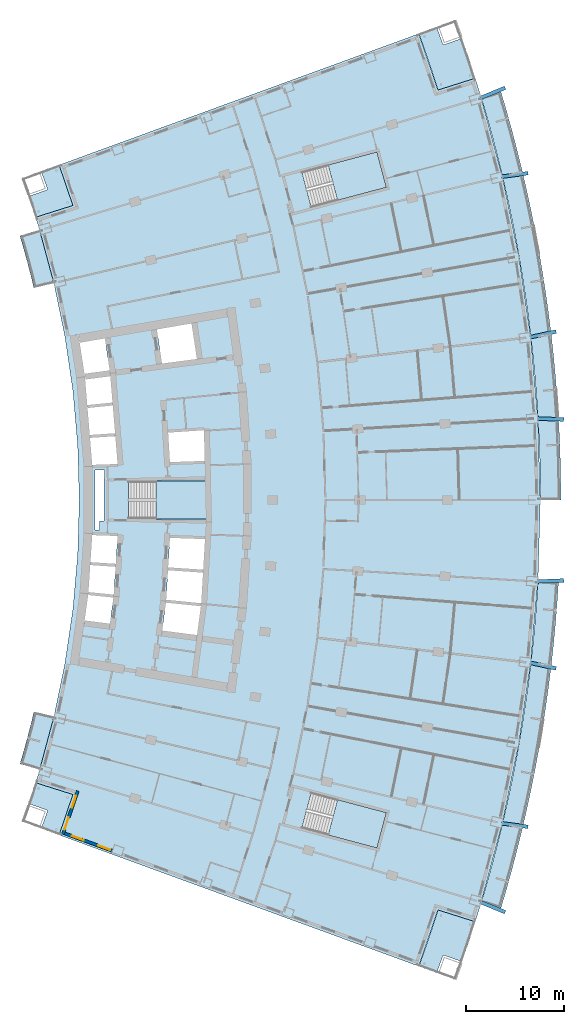
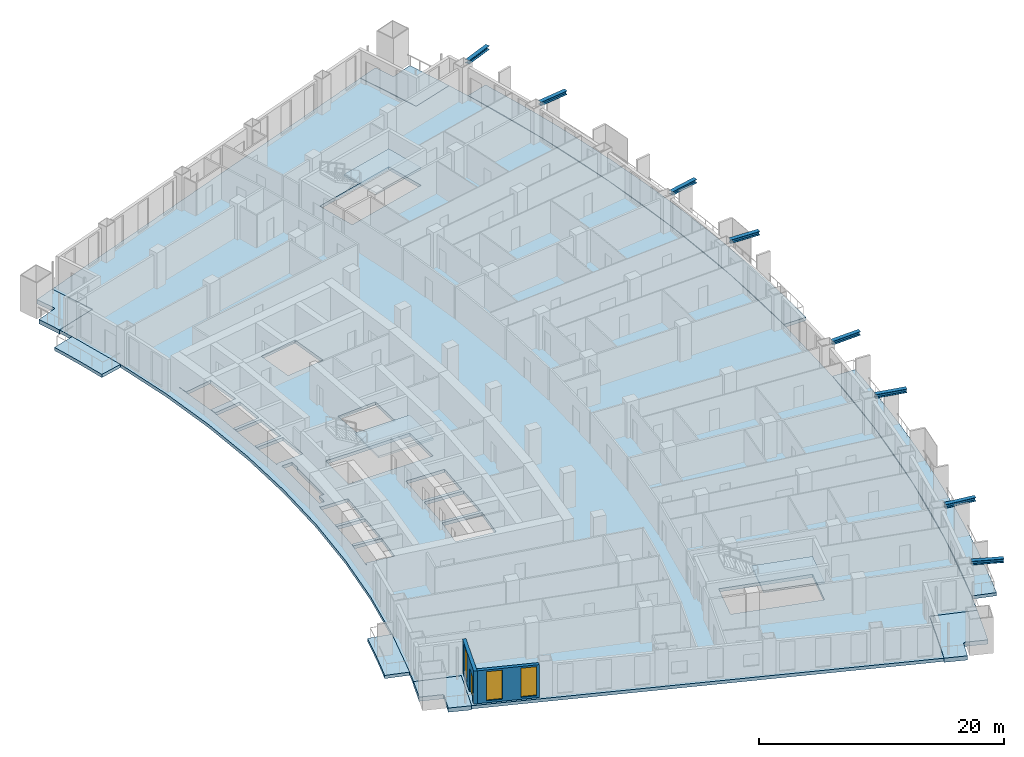
# One storey, part 12 of 25: 12 slabs, 8 members, 3 windows, 2 walls, 1 door, 4 openings, 3 elements without a shape of their own.
"""IFC4 building model written with IfcOpenShell, lengths in metres."""

from ifc_helpers import new_model, si_unit, direction, frame, frame_2d, origin, origin_2d, place, context, subcontext, project, spatial, polyline, rectangle, i_section, outline, extrude, material, layer, layer_set, material_profile, profile_set, type_object, element, fill, aggregate, save


model = new_model("IFC4")

# Units and contexts
model_context = context("Model", 3, precision=1e-05, world=origin(), true_north=direction((0.0, 1.0)))
body_context = subcontext(model_context, "Body", "Model", "MODEL_VIEW")
ifc_project = project(units=[si_unit("LENGTHUNIT", "METRE"), si_unit("AREAUNIT", "SQUARE_METRE"), si_unit("VOLUMEUNIT", "CUBIC_METRE"), si_unit("PLANEANGLEUNIT", "RADIAN"), si_unit("MASSUNIT", "GRAM", prefix="KILO")], contexts=[model_context])

# Site, building, storey
site_placement = place(None, origin())
site = spatial("IfcSite", under=ifc_project, at=site_placement, CompositionType="ELEMENT")
building_placement = place(site_placement, origin())
building = spatial("IfcBuilding", under=site, at=building_placement, Name="Alderwake Tower", CompositionType="ELEMENT")
storey_placement = place(building_placement, frame((0.0, 0.0, 57.199951171875)))
storey = spatial("IfcBuildingStorey", under=building, at=storey_placement, Name="L13", CompositionType="ELEMENT", Elevation=57.199951171875)

# Members
ifc_material_1 = material(Name="Steel ASTM A992 Grade 50", Category="steel")
ifc_material_profile = material_profile(ifc_material_1, i_section(OverallWidth=0.3740234375, OverallDepth=0.372314453125, WebThickness=0.016357421875, FlangeThickness=0.026123046875, at=origin_2d()), Name="W14X132")
ifc_profile_set = profile_set([ifc_material_profile], Name="Steel ASTM A992 Grade 50")
member_type = type_object("IfcMemberType", Name="Brace node stub W14X132", PredefinedType="MEMBER", material=ifc_profile_set)
member_1_placement = place(storey_placement, frame((57.102783203125, 19.833251953125, 3.393798828125), z_axis=(0.924848953154, -0.380334607746, 0.0), x_axis=(0.380334607746, 0.924848953154, 0.0)))
element("IfcMember", 1, at=member_1_placement, inside=storey, type_object=member_type, Name="Brace node stub BS.FR02-C5.608", PredefinedType="MEMBER", context=body_context, shape_type="SweptSolid", body=[
    extrude(i_section(OverallWidth=0.3740234375, OverallDepth=0.372314453125, WebThickness=0.016357421875, FlangeThickness=0.026123046875, at=origin_2d()), origin(), (0.0, 0.0, 1.0), 2.691650390625),
])
member_2_placement = place(storey_placement, frame((59.271728515625, 27.90478515625, 3.393798828125), z_axis=(0.990934749204, -0.134344046464, 0.0), x_axis=(0.134344046464, 0.990934749204, 0.0)))
element("IfcMember", 2, at=member_2_placement, inside=storey, type_object=member_type, Name="Brace node stub BS.FR03-C5.608", PredefinedType="MEMBER", context=body_context, shape_type="SweptSolid", body=[
    extrude(i_section(OverallWidth=0.3740234375, OverallDepth=0.372314453125, WebThickness=0.016357421875, FlangeThickness=0.026123046875, at=origin_2d()), origin(), (0.0, 0.0, 1.0), 2.69140625),
])
member_3_placement = place(storey_placement, frame((62.176513671875, 44.332763671875, 3.393798828125), z_axis=(0.976932556005, -0.213548076594, 0.0), x_axis=(0.213548076594, 0.976932556005, 0.0)))
element("IfcMember", 3, at=member_3_placement, inside=storey, type_object=member_type, Name="Brace node stub BS.FR05-C5.608", PredefinedType="MEMBER", context=body_context, shape_type="SweptSolid", body=[
    extrude(i_section(OverallWidth=0.3740234375, OverallDepth=0.372314453125, WebThickness=0.016357421875, FlangeThickness=0.026123046875, at=origin_2d()), origin(), (0.0, 0.0, 1.0), 2.691162109375),
])
for number, where, z_axis, x_axis, name in (
    (4, (62.90673828125, 52.65869140625, 3.393798828125), (0.999192240643, 0.04018539833, 0.0), (-0.04018539833, 0.999192240643, 0.0), "Brace node stub BS.FR06-C5.608"),
    (5, (62.90673828125, 69.34130859375, 3.393798828125), (0.999192240643, -0.04018539833, 0.0), (0.04018539833, 0.999192240643, 0.0), "Brace node stub BS.FR08-C5.608"),
):
    element("IfcMember", number, at=place(storey_placement, frame(where, z_axis=z_axis, x_axis=x_axis)), inside=storey, type_object=member_type, Name=name, PredefinedType="MEMBER", context=body_context, shape_type="SweptSolid", body=[
        extrude(i_section(OverallWidth=0.3740234375, OverallDepth=0.372314453125, WebThickness=0.016357421875, FlangeThickness=0.026123046875, at=origin_2d()), origin(), (0.0, 0.0, 1.0), 2.69140625),
    ])
member_4_placement = place(storey_placement, frame((62.176513671875, 77.667236328125, 3.393798828125), z_axis=(0.976932556005, 0.213548076594, 0.0), x_axis=(-0.213548076594, 0.976932556005, 0.0)))
element("IfcMember", 6, at=member_4_placement, inside=storey, type_object=member_type, Name="Brace node stub BS.FR09-C5.608", PredefinedType="MEMBER", context=body_context, shape_type="SweptSolid", body=[
    extrude(i_section(OverallWidth=0.3740234375, OverallDepth=0.372314453125, WebThickness=0.016357421875, FlangeThickness=0.026123046875, at=origin_2d()), origin(), (0.0, 0.0, 1.0), 2.691162109375),
])
member_5_placement = place(storey_placement, frame((59.271728515625, 94.09521484375, 3.393798828125), z_axis=(0.990934749204, 0.134344046464, 0.0), x_axis=(-0.134344046464, 0.990934749204, 0.0)))
element("IfcMember", 7, at=member_5_placement, inside=storey, type_object=member_type, Name="Brace node stub BS.FR11-C5.608", PredefinedType="MEMBER", context=body_context, shape_type="SweptSolid", body=[
    extrude(i_section(OverallWidth=0.3740234375, OverallDepth=0.372314453125, WebThickness=0.016357421875, FlangeThickness=0.026123046875, at=origin_2d()), origin(), (0.0, 0.0, 1.0), 2.69140625),
])
member_6_placement = place(storey_placement, frame((57.102783203125, 102.166748046875, 3.393798828125), z_axis=(0.924848953154, 0.380334607746, 0.0), x_axis=(-0.380334607746, 0.924848953154, 0.0)))
element("IfcMember", 8, at=member_6_placement, inside=storey, type_object=member_type, Name="Brace node stub BS.FR12-C5.608", PredefinedType="MEMBER", context=body_context, shape_type="SweptSolid", body=[
    extrude(i_section(OverallWidth=0.3740234375, OverallDepth=0.372314453125, WebThickness=0.016357421875, FlangeThickness=0.026123046875, at=origin_2d()), origin(), (0.0, 0.0, 1.0), 2.691650390625),
])

# Slabs
ifc_material_2 = material(Name="Concrete C50/60", Category="concrete")
ifc_layer_1 = layer(ifc_material_2, 0.320068359375)
ifc_layer_set_1 = layer_set([ifc_layer_1], Name="Balcony slab 320")
slab_type_1 = type_object("IfcSlabType", Name="Balcony slab 320", PredefinedType="FLOOR", material=ifc_layer_set_1)
slab_1_placement = place(storey_placement, frame((0.0, 0.0, -0.320068359375)))
element("IfcSlab", 9, at=slab_1_placement, inside=storey, type_object=slab_type_1, Name="Balcony BF02", PredefinedType="FLOOR", context=body_context, shape_type="SweptSolid", body=[
    extrude(outline(polyline([(59.7578125, 21.2529296875), (60.322509765625, 23.29541015625), (60.857666015625, 25.345703125), (61.362548828125, 27.403564453125), (61.83740234375, 29.468505859375), (62.2822265625, 31.540283203125), (62.696533203125, 33.618408203125), (63.080810546875, 35.7021484375), (63.4345703125, 37.791259765625), (63.7578125, 39.885498046875), (64.05029296875, 41.984130859375), (64.312255859375, 44.0869140625), (64.543701171875, 46.193115234375), (64.744140625, 48.302490234375), (64.913818359375, 50.41455078125), (65.052978515625, 52.529052734375), (62.956298828125, 52.6513671875), (62.819580078125, 50.567626953125), (62.652099609375, 48.486083984375), (62.45458984375, 46.406982421875), (62.2265625, 44.331298828125), (61.96826171875, 42.2587890625), (61.679931640625, 40.190673828125), (61.361328125, 38.126708984375), (61.0126953125, 36.067626953125), (60.63427734375, 34.013916015625), (60.225830078125, 31.966064453125), (59.78759765625, 29.92431640625), (59.3193359375, 27.888916015625), (58.82177734375, 25.86083984375), (58.294677734375, 23.840087890625), (57.738037109375, 21.827392578125), (57.152099609375, 19.822998046875), (59.163330078125, 19.218994140625), (59.7578125, 21.2529296875)])), origin(), (0.0, 0.0, 1.0), 0.320068359375),
])
slab_2_placement = place(storey_placement, frame((0.0, 0.0, -0.320068359375)))
element("IfcSlab", 10, at=slab_2_placement, inside=storey, type_object=slab_type_1, Name="Balcony BF07", PredefinedType="FLOOR", context=body_context, shape_type="SweptSolid", body=[
    extrude(outline(polyline([(65.284423828125, 63.118896484375), (65.23828125, 65.2373046875), (65.160888671875, 67.354736328125), (65.052978515625, 69.470947265625), (64.913818359375, 71.58544921875), (64.744140625, 73.697509765625), (64.543701171875, 75.806884765625), (64.312255859375, 77.9130859375), (64.05029296875, 80.015869140625), (63.7578125, 82.114501953125), (63.4345703125, 84.208740234375), (63.080810546875, 86.2978515625), (62.696533203125, 88.381591796875), (62.2822265625, 90.459716796875), (61.83740234375, 92.531494140625), (61.362548828125, 94.596435546875), (60.857666015625, 96.654296875), (60.322509765625, 98.70458984375), (59.7578125, 100.7470703125), (59.163330078125, 102.781005859375), (57.152099609375, 102.177001953125), (57.738037109375, 100.172607421875), (58.294677734375, 98.159912109375), (58.82177734375, 96.13916015625), (59.3193359375, 94.111083984375), (59.78759765625, 92.07568359375), (60.225830078125, 90.033935546875), (60.63427734375, 87.986083984375), (61.0126953125, 85.932373046875), (61.361328125, 83.873291015625), (61.679931640625, 81.809326171875), (61.96826171875, 79.7412109375), (62.2265625, 77.668701171875), (62.45458984375, 75.593017578125), (62.652099609375, 73.513916015625), (62.819580078125, 71.432373046875), (62.956298828125, 69.3486328125), (63.06298828125, 67.262939453125), (63.13916015625, 65.176025390625), (63.184814453125, 63.08837890625), (63.199951171875, 61.0), (65.300048828125, 61.0), (65.284423828125, 63.118896484375)])), origin(), (0.0, 0.0, 1.0), 0.320068359375),
])
slab_3_placement = place(storey_placement, frame((0.0, 0.0, -0.320068359375)))
element("IfcSlab", 11, at=slab_3_placement, inside=storey, type_object=slab_type_1, Name="Balcony BR02", PredefinedType="FLOOR", context=body_context, shape_type="SweptSolid", body=[
    extrude(outline(polyline([(9.93408203125, 33.999267578125), (11.945556640625, 33.395263671875), (13.3984375, 38.802734375), (11.35546875, 39.288330078125), (11.029052734375, 37.95849609375), (10.683349609375, 36.63330078125), (10.318359375, 35.3134765625), (9.93408203125, 33.999267578125)])), origin(), (0.0, 0.0, 1.0), 0.320068359375),
])
slab_4_placement = place(storey_placement, frame((0.0, 0.0, -0.320068359375)))
element("IfcSlab", 12, at=slab_4_placement, inside=storey, type_object=slab_type_1, Name="Balcony BR11", PredefinedType="FLOOR", context=body_context, shape_type="SweptSolid", body=[
    extrude(outline(polyline([(11.35546875, 82.711669921875), (13.3984375, 83.197265625), (11.945556640625, 88.604736328125), (9.93408203125, 88.000732421875), (10.318359375, 86.6865234375), (10.683349609375, 85.36669921875), (11.029052734375, 84.04150390625), (11.35546875, 82.711669921875)])), origin(), (0.0, 0.0, 1.0), 0.320068359375),
])
ifc_material_3 = material(Name="Concrete C50/60", Category="concrete")
ifc_layer_2 = layer(ifc_material_3, 0.320068359375)
ifc_layer_set_2 = layer_set([ifc_layer_2], Name="Concrete C50/60 post-tensioned flat plate 320")
slab_type_2 = type_object("IfcSlabType", Name="Concrete C50/60 post-tensioned flat plate 320", PredefinedType="FLOOR", material=ifc_layer_set_2)
slab_5_placement = place(storey_placement, frame((0.0, 0.0, -0.320068359375)))
element("IfcSlab", 13, at=slab_5_placement, inside=storey, type_object=slab_type_2, Name="Floor slab L13", PredefinedType="FLOOR", context=body_context, shape_type="SweptSolid", body=[
    extrude(outline(polyline([(11.533203125, 32.057373046875), (11.945556640625, 33.395263671875), (13.3984375, 38.802734375), (14.53369140625, 44.28564453125), (15.347412109375, 49.825439453125), (15.836669921875, 55.4033203125), (16.0, 61.0), (15.836669921875, 66.5966796875), (15.347412109375, 72.174560546875), (14.53369140625, 77.71435546875), (13.3984375, 83.197265625), (11.945556640625, 88.604736328125), (11.533203125, 89.942626953125), (15.34716796875, 91.1484375), (13.937255859375, 95.289794921875), (50.7607421875, 108.7314453125), (52.72314453125, 102.966796875), (56.537109375, 104.172607421875), (57.152099609375, 102.177001953125), (59.3193359375, 94.111083984375), (61.0126953125, 85.932373046875), (62.2265625, 77.668701171875), (62.956298828125, 69.3486328125), (63.199951171875, 61.0), (62.956298828125, 52.6513671875), (62.2265625, 44.331298828125), (61.0126953125, 36.067626953125), (59.3193359375, 27.888916015625), (57.152099609375, 19.822998046875), (56.537109375, 17.827392578125), (52.72314453125, 19.033203125), (50.7607421875, 13.2685546875), (13.937255859375, 26.710205078125), (15.34716796875, 30.8515625), (11.533203125, 32.057373046875)]), holes=[polyline([(16.943359375, 51.26953125), (16.9580078125, 51.4189453125), (16.972900390625, 51.568115234375), (19.525146484375, 51.31591796875), (19.71630859375, 54.164794921875), (17.153564453125, 54.33642578125), (17.16357421875, 54.486083984375), (17.173583984375, 54.6357421875), (19.736083984375, 54.464111328125), (19.92724609375, 57.312744140625), (17.364013671875, 57.403564453125), (17.369140625, 57.553466796875), (17.33935546875, 57.554443359375), (17.1337890625, 54.48828125), (16.927978515625, 51.421875), (16.92822265625, 51.421875), (16.50927734375, 48.377197265625), (16.5390625, 48.373291015625), (16.577880859375, 48.6708984375), (19.138671875, 48.3359375), (19.495361328125, 51.017333984375), (16.943359375, 51.26953125)]), polyline([(29.0, 62.875), (21.050048828125, 62.875), (21.050048828125, 59.125), (29.0, 59.125), (29.0, 62.875)]), polyline([(19.688720703125, 67.53271484375), (17.12548828125, 67.361083984375), (17.115478515625, 67.510498046875), (17.10546875, 67.660400390625), (19.6640625, 67.831787109375), (19.42822265625, 70.674560546875), (16.87646484375, 70.42236328125), (16.86181640625, 70.571533203125), (16.846923828125, 70.720947265625), (19.403564453125, 70.973388671875), (19.179931640625, 73.66943359375), (16.646484375, 73.338134765625), (16.607666015625, 73.635498046875), (16.56884765625, 73.93310546875), (19.111083984375, 74.265625), (18.6240234375, 77.531982421875), (18.919921875, 77.575927734375), (18.916748046875, 77.593994140625), (16.082275390625, 77.10546875), (15.9345703125, 77.9619140625), (15.634765625, 77.908935546875), (15.63525390625, 77.9052734375), (15.9140625, 77.9482421875), (16.57763671875, 73.631591796875), (16.578369140625, 73.626220703125), (16.831787109375, 70.568603515625), (17.085693359375, 67.508544921875), (17.33935546875, 64.4482421875), (17.33935546875, 64.445556640625), (17.369384765625, 64.446533203125), (17.364013671875, 64.596435546875), (19.9248046875, 64.687255859375), (19.688720703125, 67.53271484375)]), polyline([(47.436279296875, 28.996826171875), (39.754150390625, 31.043212890625), (38.7890625, 27.41943359375), (46.47119140625, 25.373291015625), (47.436279296875, 28.996826171875)]), polyline([(28.05419921875, 47.169921875), (28.4482421875, 50.1328125), (24.87451171875, 50.48583984375), (24.878662109375, 50.52783203125), (24.875, 50.5283203125), (24.48974609375, 47.635986328125), (28.05419921875, 47.169921875)]), polyline([(25.080810546875, 53.804931640625), (24.89501953125, 50.731201171875), (24.898681640625, 50.730712890625), (24.904052734375, 50.784423828125), (28.484375, 50.4306640625), (28.669921875, 53.564453125), (25.080810546875, 53.804931640625)]), polyline([(28.873291015625, 56.99609375), (25.281494140625, 57.123291015625), (25.09912109375, 54.1044921875), (28.687744140625, 53.864013671875), (28.873291015625, 56.99609375)]), polyline([(28.769287109375, 68.08935546875), (28.765869140625, 68.141357421875), (25.101318359375, 67.895751953125), (25.2822265625, 64.876708984375), (28.83740234375, 65.002685546875), (28.769287109375, 68.08935546875)]), polyline([(27.490966796875, 79.072021484375), (23.932373046875, 78.45849609375), (23.93310546875, 78.454833984375), (23.9443359375, 78.45654296875), (24.4697265625, 74.972412109375), (24.36474609375, 74.95654296875), (24.365478515625, 74.952880859375), (28.0400390625, 75.433349609375), (27.490966796875, 79.072021484375)]), polyline([(46.47119140625, 96.626708984375), (38.7890625, 94.58056640625), (39.754150390625, 90.956787109375), (47.436279296875, 93.003173828125), (46.47119140625, 96.626708984375)]), polyline([(17.58935546875, 64.05419921875), (17.58935546875, 57.94580078125), (18.065673828125, 57.928955078125), (18.090576171875, 58.84326171875), (18.544189453125, 58.8310546875), (18.529296875, 58.8681640625), (18.5234375, 58.89208984375), (18.5185546875, 58.94091796875), (18.5185546875, 63.060302734375), (18.5234375, 63.109130859375), (18.53759765625, 63.156005859375), (18.560791015625, 63.19921875), (18.588623046875, 63.233642578125), (18.565185546875, 64.088623046875), (17.58935546875, 64.05419921875)])]), origin(), (0.0, 0.0, 1.0), 0.320068359375),
])

# Stair, slab
ifc_material_4 = material(Name="Concrete C40/50", Category="concrete")
stair_type = type_object("IfcStairType", Name="Core exit stair", PredefinedType="HALF_TURN_STAIR", material=ifc_material_4)
stair_1_placement = place(storey_placement, origin())
stair_1 = element("IfcStair", 14, at=stair_1_placement, inside=storey, type_object=stair_type, Name="L13 Exit Stair B", PredefinedType="HALF_TURN_STAIR")
ifc_material_5 = material(Name="Concrete C40/50", Category="concrete")
ifc_layer_3 = layer(ifc_material_5, 0.199951171875)
ifc_layer_set_3 = layer_set([ifc_layer_3], Name="Core stair landing 200")
slab_type_3 = type_object("IfcSlabType", Name="Core stair landing 200", PredefinedType="LANDING", material=ifc_layer_set_3)
slab_6_placement = place(storey_placement, frame((0.0, 0.0, 1.60009765625)))
slab_6 = element("IfcSlab", 15, at=slab_6_placement, type_object=slab_type_3, Name="ST-B landing 1", PredefinedType="LANDING", context=body_context, shape_type="SweptSolid", body=[
    extrude(outline(polyline([(23.830078125, 59.074951171875), (29.0, 59.074951171875), (29.0, 62.925048828125), (23.830078125, 62.925048828125), (23.830078125, 59.074951171875)])), origin(), (0.0, 0.0, 1.0), 0.199951171875),
])
aggregate(stair_1, [slab_6])

stair_2_placement = place(storey_placement, origin())
stair_2 = element("IfcStair", 16, at=stair_2_placement, inside=storey, type_object=stair_type, Name="L13 Exit Stair A", PredefinedType="HALF_TURN_STAIR")
slab_7_placement = place(storey_placement, frame((0.0, 0.0, 1.60009765625)))
slab_7 = element("IfcSlab", 17, at=slab_7_placement, type_object=slab_type_3, Name="ST-A landing 1", PredefinedType="LANDING", context=body_context, shape_type="SweptSolid", body=[
    extrude(outline(polyline([(42.440673828125, 91.67236328125), (47.436279296875, 93.003173828125), (46.47119140625, 96.626708984375), (41.475341796875, 95.296142578125), (42.440673828125, 91.67236328125)])), origin(), (0.0, 0.0, 1.0), 0.199951171875),
])
aggregate(stair_2, [slab_7])

stair_3_placement = place(storey_placement, origin())
stair_3 = element("IfcStair", 18, at=stair_3_placement, inside=storey, type_object=stair_type, Name="L13 Exit Stair C", PredefinedType="HALF_TURN_STAIR")
slab_8_placement = place(storey_placement, frame((0.0, 0.0, 1.60009765625)))
slab_8 = element("IfcSlab", 19, at=slab_8_placement, type_object=slab_type_3, Name="ST-C landing 1", PredefinedType="LANDING", context=body_context, shape_type="SweptSolid", body=[
    extrude(outline(polyline([(41.475341796875, 26.703857421875), (46.47119140625, 25.373291015625), (47.436279296875, 28.996826171875), (42.4404296875, 30.32763671875), (41.475341796875, 26.703857421875)])), origin(), (0.0, 0.0, 1.0), 0.199951171875),
])
aggregate(stair_3, [slab_8])

# Slabs
ifc_material_6 = material(Name="Concrete C50/60", Category="concrete")
ifc_layer_4 = layer(ifc_material_6, 0.419921875)
ifc_layer_set_4 = layer_set([ifc_layer_4], Name="Terrace slab 420")
slab_type_4 = type_object("IfcSlabType", Name="Terrace slab 420", PredefinedType="FLOOR", material=ifc_layer_set_4)
slab_9_placement = place(storey_placement, frame((0.0, 0.0, -0.419921875)))
element("IfcSlab", 20, at=slab_9_placement, inside=storey, type_object=slab_type_4, Name="Corner terrace FS", PredefinedType="FLOOR", context=body_context, shape_type="SweptSolid", body=[
    extrude(outline(polyline([(55.219970703125, 13.864013671875), (55.1748046875, 13.7373046875), (53.390380859375, 14.3759765625), (53.376220703125, 14.380126953125), (53.36181640625, 14.383056640625), (53.34716796875, 14.384521484375), (53.33251953125, 14.384521484375), (53.317626953125, 14.383056640625), (53.30322265625, 14.380126953125), (53.289306640625, 14.3759765625), (53.275634765625, 14.3701171875), (53.2626953125, 14.36328125), (53.25048828125, 14.35498046875), (53.239013671875, 14.345703125), (53.228515625, 14.33544921875), (53.21923828125, 14.323974609375), (53.211181640625, 14.311767578125), (53.2041015625, 14.298828125), (53.198486328125, 14.28515625), (52.59521484375, 12.59912109375), (50.7607421875, 13.2685546875), (51.44287109375, 15.1806640625), (52.096923828125, 17.102294921875), (52.72314453125, 19.033203125), (56.537109375, 17.827392578125), (55.892822265625, 15.8408203125), (55.219970703125, 13.864013671875)])), origin(), (0.0, 0.0, 1.0), 0.419921875),
])
slab_10_placement = place(storey_placement, frame((0.0, 0.0, -0.419921875)))
element("IfcSlab", 21, at=slab_10_placement, inside=storey, type_object=slab_type_4, Name="Corner terrace RS", PredefinedType="FLOOR", context=body_context, shape_type="SweptSolid", body=[
    extrude(outline(polyline([(13.937255859375, 26.710205078125), (12.10888671875, 27.377685546875), (12.114013671875, 27.39013671875), (12.71533203125, 29.086669921875), (12.7197265625, 29.100830078125), (12.722412109375, 29.115234375), (12.723876953125, 29.1298828125), (12.723876953125, 29.14453125), (12.722412109375, 29.1591796875), (12.719482421875, 29.173583984375), (12.715087890625, 29.187744140625), (12.70947265625, 29.201416015625), (12.702392578125, 29.21435546875), (12.6943359375, 29.2265625), (12.684814453125, 29.23779296875), (12.674560546875, 29.248291015625), (12.6630859375, 29.257568359375), (12.65087890625, 29.265625), (12.6376953125, 29.272705078125), (12.624267578125, 29.2783203125), (10.82568359375, 29.915771484375), (11.101318359375, 30.7255859375), (11.533203125, 32.057373046875), (15.34716796875, 30.8515625), (13.937255859375, 26.710205078125)])), origin(), (0.0, 0.0, 1.0), 0.419921875),
])
slab_11_placement = place(storey_placement, frame((0.0, 0.0, -0.419921875)))
element("IfcSlab", 22, at=slab_11_placement, inside=storey, type_object=slab_type_4, Name="Corner terrace FN", PredefinedType="FLOOR", context=body_context, shape_type="SweptSolid", body=[
    extrude(outline(polyline([(55.219970703125, 108.135986328125), (55.892822265625, 106.1591796875), (56.537109375, 104.172607421875), (52.72314453125, 102.966796875), (52.096923828125, 104.897705078125), (51.44287109375, 106.8193359375), (50.7607421875, 108.7314453125), (52.59521484375, 109.40087890625), (53.198486328125, 107.71484375), (53.2041015625, 107.701171875), (53.211181640625, 107.688232421875), (53.21923828125, 107.676025390625), (53.228515625, 107.66455078125), (53.239013671875, 107.654296875), (53.25048828125, 107.64501953125), (53.2626953125, 107.63671875), (53.275634765625, 107.6298828125), (53.289306640625, 107.6240234375), (53.30322265625, 107.619873046875), (53.317626953125, 107.616943359375), (53.33251953125, 107.615478515625), (53.34716796875, 107.615478515625), (53.36181640625, 107.616943359375), (53.376220703125, 107.619873046875), (53.390380859375, 107.6240234375), (55.1748046875, 108.2626953125), (55.219970703125, 108.135986328125)])), origin(), (0.0, 0.0, 1.0), 0.419921875),
])
slab_12_placement = place(storey_placement, frame((0.0, 0.0, -0.419921875)))
element("IfcSlab", 23, at=slab_12_placement, inside=storey, type_object=slab_type_4, Name="Corner terrace RN", PredefinedType="FLOOR", context=body_context, shape_type="SweptSolid", body=[
    extrude(outline(polyline([(10.82568359375, 92.084228515625), (12.624267578125, 92.7216796875), (12.6376953125, 92.727294921875), (12.65087890625, 92.734375), (12.6630859375, 92.742431640625), (12.674560546875, 92.751708984375), (12.684814453125, 92.76220703125), (12.6943359375, 92.7734375), (12.702392578125, 92.78564453125), (12.70947265625, 92.798583984375), (12.715087890625, 92.812255859375), (12.719482421875, 92.826416015625), (12.722412109375, 92.8408203125), (12.723876953125, 92.85546875), (12.723876953125, 92.8701171875), (12.722412109375, 92.884765625), (12.7197265625, 92.899169921875), (12.71533203125, 92.913330078125), (12.114013671875, 94.60986328125), (12.10888671875, 94.622314453125), (13.937255859375, 95.289794921875), (15.34716796875, 91.1484375), (11.533203125, 89.942626953125), (11.101318359375, 91.2744140625), (10.82568359375, 92.084228515625)])), origin(), (0.0, 0.0, 1.0), 0.419921875),
])

# Wall, openings, door, window
ifc_material_7 = material(Name="Bronze metal cladding on lightweight framing")
ifc_layer_5 = layer(ifc_material_7, 0.300048828125)
ifc_layer_set_5 = layer_set([ifc_layer_5], Name="External wall EW2 bronze metal cladding")
wall_type = type_object("IfcWallType", Name="External wall EW2 bronze metal cladding", PredefinedType="SOLIDWALL", material=ifc_layer_set_5)
wall_1_placement = place(storey_placement, frame((15.83740234375, 31.220703125, 0.0), z_axis=(0.0, 0.0, 1.0), x_axis=(-0.32041006121, -0.947278941324, 0.0)))
wall_1 = element("IfcWall", 24, at=wall_1_placement, inside=storey, type_object=wall_type, Name="External wall 3", PredefinedType="SOLIDWALL", context=body_context, shape_type="SweptSolid", body=[
    extrude(rectangle(XDim=4.68994140625, YDim=0.300048828125, at=frame_2d((2.344970703125, 0.0))), origin(), (0.0, 0.0, 1.0), 3.280029296875),
])
opening_1_placement = place(wall_1_placement, frame((0.5224609375, 0.0, 0.199951171875)))
opening_1 = element("IfcOpeningElement", 25, at=opening_1_placement, cuts=wall_1, Name="Opening W1", PredefinedType="OPENING", context=body_context, shape_type="SweptSolid", body=[
    extrude(rectangle(XDim=1.300048828125, YDim=2.89990234375, at=frame_2d((0.64990234375, 1.449951171875))), frame((0.0, 0.159912109375, 0.0), z_axis=(0.0, -1.0, 0.0), x_axis=(1.0, 0.0, 0.0)), (0.0, 0.0, 1.0), 0.320068359375),
])
opening_2_placement = place(wall_1_placement, frame((2.867431640625, 0.0, 0.0)))
opening_2 = element("IfcOpeningElement", 26, at=opening_2_placement, cuts=wall_1, Name="Opening D01", PredefinedType="OPENING", context=body_context, shape_type="SweptSolid", body=[
    extrude(rectangle(XDim=1.300048828125, YDim=2.39990234375, at=frame_2d((0.64990234375, 1.199951171875))), frame((0.0, 0.159912109375, 0.0), z_axis=(0.0, -1.0, 0.0), x_axis=(1.0, 0.0, 0.0)), (0.0, 0.0, 1.0), 0.320068359375),
])
ifc_material_8 = material(Name="Bronze tinted glass in aluminium frame", Category="aluminium")
door_type = type_object("IfcDoorType", Name="Balcony door BD sliding", OperationType="SLIDING_TO_LEFT", PredefinedType="DOOR", material=ifc_material_8)
door_placement = place(opening_2_placement, origin())
door = element("IfcDoor", 27, at=door_placement, inside=storey, type_object=door_type, Name="Door D01", OperationType="SLIDING_TO_LEFT", OverallHeight=2.39990234375, OverallWidth=1.300048828125, PredefinedType="DOOR", context=body_context, shape_type="SweptSolid", body=[
    extrude(rectangle(XDim=1.300048828125, YDim=2.39990234375, at=frame_2d((0.64990234375, 1.199951171875))), frame((0.0, 0.02490234375, 0.0), z_axis=(0.0, -1.0, 0.0), x_axis=(1.0, 0.0, 0.0)), (0.0, 0.0, 1.0), 0.050048828125),
])
fill(opening_2, door)
ifc_material_9 = material(Name="Bronze tinted glass in aluminium frame", Category="aluminium")
window_type = type_object("IfcWindowType", Name="Window W1 tall fixed and vent", PartitioningType="DOUBLE_PANEL_VERTICAL", PredefinedType="WINDOW", material=ifc_material_9)
window_1_placement = place(opening_1_placement, origin())
window_1 = element("IfcWindow", 28, at=window_1_placement, inside=storey, type_object=window_type, Name="Window W1 tall fixed and vent", OverallHeight=2.89990234375, OverallWidth=1.300048828125, PartitioningType="DOUBLE_PANEL_VERTICAL", PredefinedType="WINDOW", context=body_context, shape_type="SweptSolid", body=[
    extrude(rectangle(XDim=1.300048828125, YDim=2.89990234375, at=frame_2d((0.64990234375, 1.449951171875))), frame((0.0, 0.030029296875, 0.0), z_axis=(0.0, -1.0, 0.0), x_axis=(1.0, 0.0, 0.0)), (0.0, 0.0, 1.0), 0.06005859375),
])
fill(opening_1, window_1)

# Wall, openings, windows
wall_2_placement = place(storey_placement, frame((14.523681640625, 26.86865234375, 0.0), z_axis=(0.0, 0.0, 1.0), x_axis=(0.939371865822, -0.342900127883, 0.0)))
wall_2 = element("IfcWall", 29, at=wall_2_placement, inside=storey, type_object=wall_type, Name="External wall 4", PredefinedType="SOLIDWALL", context=body_context, shape_type="SweptSolid", body=[
    extrude(rectangle(XDim=5.149169921875, YDim=0.300048828125, at=frame_2d((2.57470703125, 0.0))), origin(), (0.0, 0.0, 1.0), 3.280029296875),
])
opening_3_placement = place(wall_2_placement, frame((0.775390625, 0.0, 0.199951171875)))
opening_3 = element("IfcOpeningElement", 30, at=opening_3_placement, cuts=wall_2, Name="Opening W1", PredefinedType="OPENING", context=body_context, shape_type="SweptSolid", body=[
    extrude(rectangle(XDim=1.300048828125, YDim=2.89990234375, at=frame_2d((0.64990234375, 1.449951171875))), frame((0.0, 0.159912109375, 0.0), z_axis=(0.0, -1.0, 0.0), x_axis=(1.0, 0.0, 0.0)), (0.0, 0.0, 1.0), 0.320068359375),
])
opening_4_placement = place(wall_2_placement, frame((3.626220703125, 0.0, 0.199951171875)))
opening_4 = element("IfcOpeningElement", 31, at=opening_4_placement, cuts=wall_2, Name="Opening W1", PredefinedType="OPENING", context=body_context, shape_type="SweptSolid", body=[
    extrude(rectangle(XDim=1.300048828125, YDim=2.89990234375, at=frame_2d((0.64990234375, 1.449951171875))), frame((0.0, 0.159912109375, 0.0), z_axis=(0.0, -1.0, 0.0), x_axis=(1.0, 0.0, 0.0)), (0.0, 0.0, 1.0), 0.320068359375),
])
window_2_placement = place(opening_3_placement, origin())
window_2 = element("IfcWindow", 32, at=window_2_placement, inside=storey, type_object=window_type, Name="Window W1 tall fixed and vent", OverallHeight=2.89990234375, OverallWidth=1.300048828125, PartitioningType="DOUBLE_PANEL_VERTICAL", PredefinedType="WINDOW", context=body_context, shape_type="SweptSolid", body=[
    extrude(rectangle(XDim=1.300048828125, YDim=2.89990234375, at=frame_2d((0.64990234375, 1.449951171875))), frame((0.0, 0.030029296875, 0.0), z_axis=(0.0, -1.0, 0.0), x_axis=(1.0, 0.0, 0.0)), (0.0, 0.0, 1.0), 0.06005859375),
])
fill(opening_3, window_2)
window_3_placement = place(opening_4_placement, origin())
window_3 = element("IfcWindow", 33, at=window_3_placement, inside=storey, type_object=window_type, Name="Window W1 tall fixed and vent", OverallHeight=2.89990234375, OverallWidth=1.300048828125, PartitioningType="DOUBLE_PANEL_VERTICAL", PredefinedType="WINDOW", context=body_context, shape_type="SweptSolid", body=[
    extrude(rectangle(XDim=1.300048828125, YDim=2.89990234375, at=frame_2d((0.64990234375, 1.449951171875))), frame((0.0, 0.030029296875, 0.0), z_axis=(0.0, -1.0, 0.0), x_axis=(1.0, 0.0, 0.0)), (0.0, 0.0, 1.0), 0.06005859375),
])
fill(opening_4, window_3)

save(model, "model.ifc")
